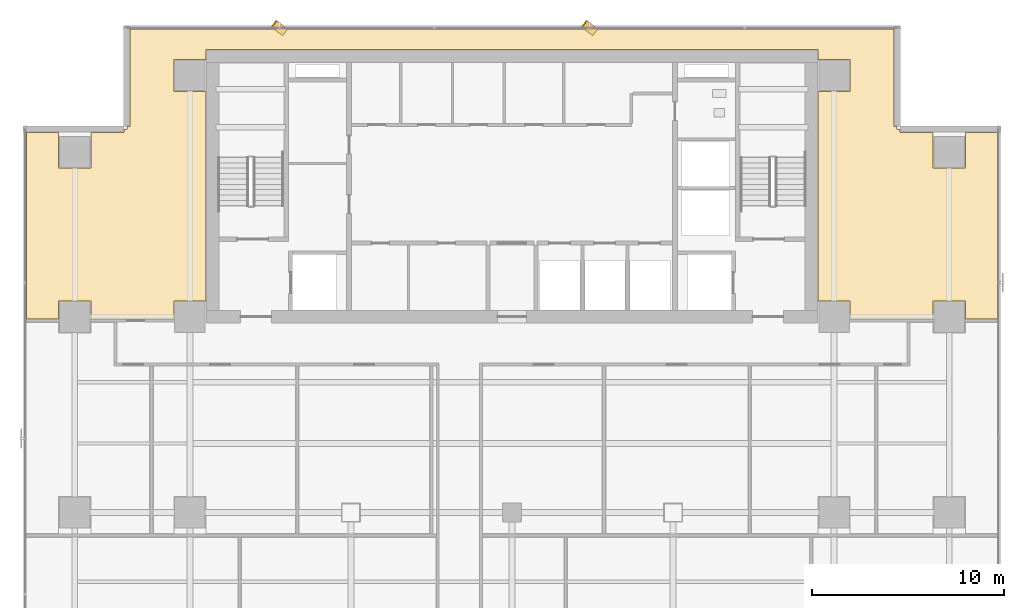
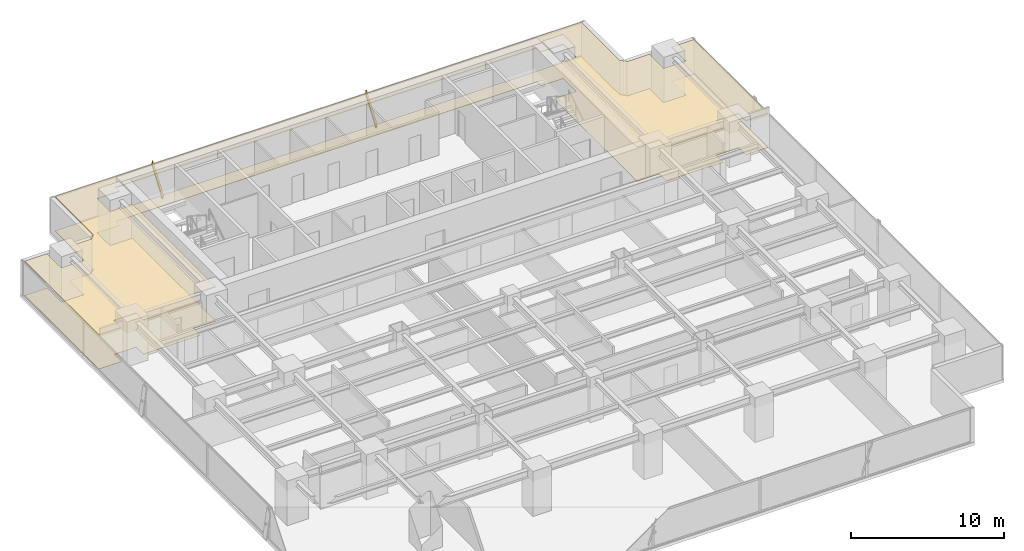
# One storey, part 35 of 37: 2 coverings, 2 shading devices.
"""IFC4 building model written with IfcOpenShell, lengths in metres."""

from ifc_helpers import new_model, si_unit, direction, frame, origin, origin_2d, place, context, subcontext, project, spatial, polyline, rectangle, outline, extrude, source, transform, mapped, material, layer, layer_set, material_profile, profile_set, type_object, element, save


model = new_model("IFC4")

# Units and contexts
model_context = context("Model", 3, precision=1e-05, world=origin(), true_north=direction((0.0, 1.0)))
body_context = subcontext(model_context, "Body", "Model", "MODEL_VIEW")
ifc_project = project(units=[si_unit("LENGTHUNIT", "METRE"), si_unit("AREAUNIT", "SQUARE_METRE"), si_unit("VOLUMEUNIT", "CUBIC_METRE"), si_unit("PLANEANGLEUNIT", "RADIAN"), si_unit("MASSUNIT", "GRAM", prefix="KILO")], contexts=[model_context])

# Site, building, storey
site_placement = place(None, origin())
site = spatial("IfcSite", under=ifc_project, at=site_placement, CompositionType="ELEMENT")
building_placement = place(site_placement, origin())
building = spatial("IfcBuilding", under=site, at=building_placement, Name="Sumidabori Civic Tower", CompositionType="ELEMENT")
storey_placement = place(building_placement, frame((0.0, 0.0, 95.60009765625)))
storey = spatial("IfcBuildingStorey", under=building, at=storey_placement, Name="L24", CompositionType="ELEMENT", Elevation=95.60009765625)

# Coverings
ifc_material_1 = material(Name="Gypsum Coffered Acoustic Ceiling")
ifc_layer_1 = layer(ifc_material_1, 0.06494140625, Name="Gypsum Coffered Acoustic Ceiling")
ifc_layer_set_1 = layer_set([ifc_layer_1], Name="Gypsum Coffered Acoustic Ceiling")
covering_type_1 = type_object("IfcCoveringType", Name="CV-CEIL-AC4", PredefinedType="CEILING", material=ifc_layer_set_1)
covering_1_placement = place(storey_placement, frame((0.0, 0.0, 2.7099609375)))
element("IfcCovering", 1, at=covering_1_placement, inside=storey, type_object=covering_type_1, Name="Room Acoustic Ceiling L24-01", PredefinedType="CEILING", context=body_context, shape_type="SweptSolid", body=[
    extrude(outline(polyline([(-25.330078125, 10.094970703125), (-25.330078125, 19.822021484375), (-23.639892578125, 19.822021484375), (-23.639892578125, 17.9599609375), (-21.9599609375, 17.9599609375), (-21.9599609375, 19.822021484375), (-20.241943359375, 19.822021484375), (-20.241943359375, 19.97998046875), (-20.080078125, 19.97998046875), (-20.080078125, 20.14208984375), (-19.922119140625, 20.14208984375), (-19.922119140625, 25.22998046875), (19.922119140625, 25.22998046875), (19.922119140625, 20.14208984375), (20.080078125, 20.14208984375), (20.080078125, 19.97998046875), (20.241943359375, 19.97998046875), (20.241943359375, 19.822021484375), (21.9599609375, 19.822021484375), (21.9599609375, 17.9599609375), (23.639892578125, 17.9599609375), (23.639892578125, 19.822021484375), (25.330078125, 19.822021484375), (25.330078125, 10.094970703125), (23.639892578125, 10.094970703125), (23.639892578125, 11.0400390625), (21.9599609375, 11.0400390625), (21.9599609375, 10.094970703125), (20.77001953125, 10.094970703125), (20.77001953125, 10.1201171875), (17.639892578125, 10.1201171875), (17.639892578125, 11.0400390625), (15.952880859375, 11.0400390625), (15.952880859375, 21.9599609375), (17.639892578125, 21.9599609375), (17.639892578125, 23.639892578125), (15.952880859375, 23.639892578125), (15.952880859375, 24.153076171875), (-15.952880859375, 24.153076171875), (-15.952880859375, 23.639892578125), (-17.639892578125, 23.639892578125), (-17.639892578125, 21.9599609375), (-15.952880859375, 21.9599609375), (-15.952880859375, 11.0400390625), (-17.639892578125, 11.0400390625), (-17.639892578125, 10.1201171875), (-20.77001953125, 10.1201171875), (-20.77001953125, 10.094970703125), (-21.9599609375, 10.094970703125), (-21.9599609375, 11.0400390625), (-23.639892578125, 11.0400390625), (-23.639892578125, 10.094970703125), (-25.330078125, 10.094970703125)])), origin(), (0.0, 0.0, 1.0), 0.06494140625),
])
ifc_material_2 = material(Name="Honed Terrazzo Tile Flooring")
ifc_layer_2 = layer(ifc_material_2, 0.030029296875, Name="Honed Terrazzo Tile Flooring")
ifc_layer_set_2 = layer_set([ifc_layer_2], Name="Honed Terrazzo Tile Flooring")
covering_type_2 = type_object("IfcCoveringType", Name="CV-FLR-TER", PredefinedType="FLOORING", material=ifc_layer_set_2)
covering_2_placement = place(storey_placement, origin())
element("IfcCovering", 2, at=covering_2_placement, inside=storey, type_object=covering_type_2, Name="Room Terrazzo Floor L24-01", PredefinedType="FLOORING", context=body_context, shape_type="SweptSolid", body=[
    extrude(outline(polyline([(-25.330078125, 10.094970703125), (-25.330078125, 19.822021484375), (-23.639892578125, 19.822021484375), (-23.639892578125, 17.9599609375), (-21.9599609375, 17.9599609375), (-21.9599609375, 19.822021484375), (-20.241943359375, 19.822021484375), (-20.241943359375, 19.97998046875), (-20.080078125, 19.97998046875), (-20.080078125, 20.14208984375), (-19.922119140625, 20.14208984375), (-19.922119140625, 25.22998046875), (19.922119140625, 25.22998046875), (19.922119140625, 20.14208984375), (20.080078125, 20.14208984375), (20.080078125, 19.97998046875), (20.241943359375, 19.97998046875), (20.241943359375, 19.822021484375), (21.9599609375, 19.822021484375), (21.9599609375, 17.9599609375), (23.639892578125, 17.9599609375), (23.639892578125, 19.822021484375), (25.330078125, 19.822021484375), (25.330078125, 10.094970703125), (23.639892578125, 10.094970703125), (23.639892578125, 11.0400390625), (21.9599609375, 11.0400390625), (21.9599609375, 10.094970703125), (20.77001953125, 10.094970703125), (20.77001953125, 10.1201171875), (17.639892578125, 10.1201171875), (17.639892578125, 11.0400390625), (15.952880859375, 11.0400390625), (15.952880859375, 21.9599609375), (17.639892578125, 21.9599609375), (17.639892578125, 23.639892578125), (15.952880859375, 23.639892578125), (15.952880859375, 24.153076171875), (-15.952880859375, 24.153076171875), (-15.952880859375, 23.639892578125), (-17.639892578125, 23.639892578125), (-17.639892578125, 21.9599609375), (-15.952880859375, 21.9599609375), (-15.952880859375, 11.0400390625), (-17.639892578125, 11.0400390625), (-17.639892578125, 10.1201171875), (-20.77001953125, 10.1201171875), (-20.77001953125, 10.094970703125), (-21.9599609375, 10.094970703125), (-21.9599609375, 11.0400390625), (-23.639892578125, 11.0400390625), (-23.639892578125, 10.094970703125), (-25.330078125, 10.094970703125)])), origin(), (0.0, 0.0, 1.0), 0.02978515625),
])

# Shading devices
ifc_material_3 = material(Name="Anodised Bronze Aluminium AW-6063-T6", Category="aluminium")
ifc_material_profile = material_profile(ifc_material_3, rectangle(XDim=0.06005859375, YDim=0.449951171875, at=origin_2d()), Name="BRONZE FIN 450x60")
ifc_profile_set = profile_set([ifc_material_profile], Name="Anodised Bronze Aluminium AW-6063-T6")
shading_device_type = type_object("IfcShadingDeviceType", Name="SH-FIN-450", PredefinedType="USERDEFINED", material=ifc_profile_set)
shared_shape = source(origin(), body_context, "Body", "SweptSolid", [
    extrude(rectangle(XDim=0.06005859375, YDim=0.449951171875, at=origin_2d()), origin(), (0.0, 0.0, 1.0), 2.769775390625),
])
for number, where, z_axis, x_axis, name in (
    (3, (4.323974609375, 25.070068359375, 0.02001953125), (-0.202198633998, 0.151604904305, 0.967538973582), (0.774112159528, -0.58041539424, 0.252721852241), "Bronze Anodised Diagonal Fin L24-02"),
    (4, (-11.85205078125, 25.070068359375, 0.02001953125), (-0.202198633998, 0.151604904305, 0.967538973582), (0.774112159528, -0.58041539424, 0.252721852241), "Bronze Anodised Diagonal Fin L24-04"),
):
    element("IfcShadingDevice", number, at=place(storey_placement, frame(where, z_axis=z_axis, x_axis=x_axis)), inside=storey, type_object=shading_device_type, Name=name, ObjectType="FIN", PredefinedType="USERDEFINED", context=body_context, shape_type="MappedRepresentation", body=[
        mapped(shared_shape, transform((0.0, 0.0, 0.0), x_axis=(1.0, 0.0, 0.0), y_axis=(0.0, 1.0, 0.0), z_axis=(0.0, 0.0, 1.0), scale=1.0)),
    ])

save(model, "model.ifc")
